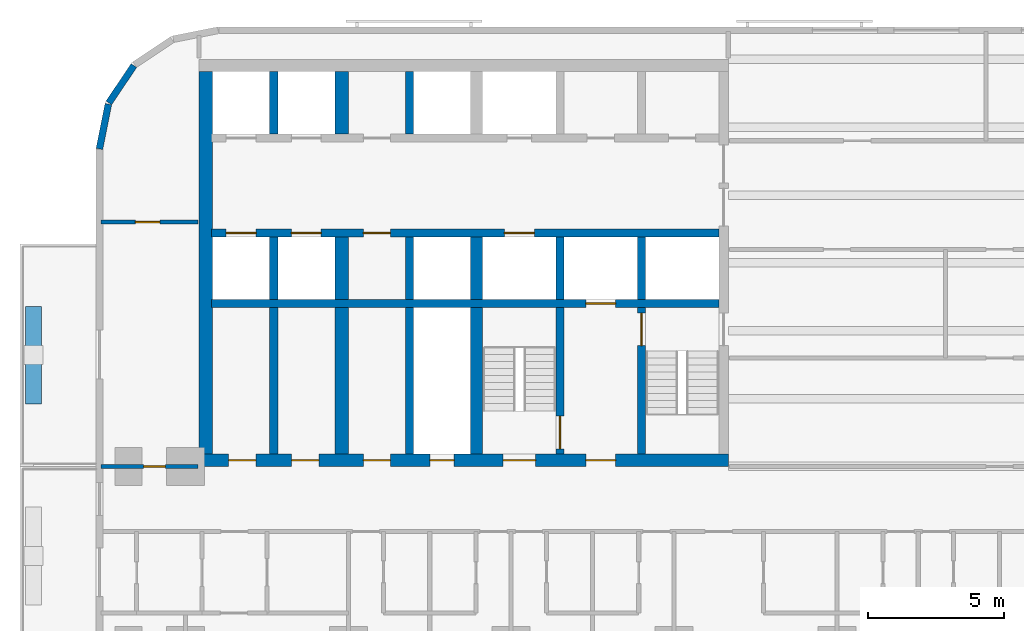
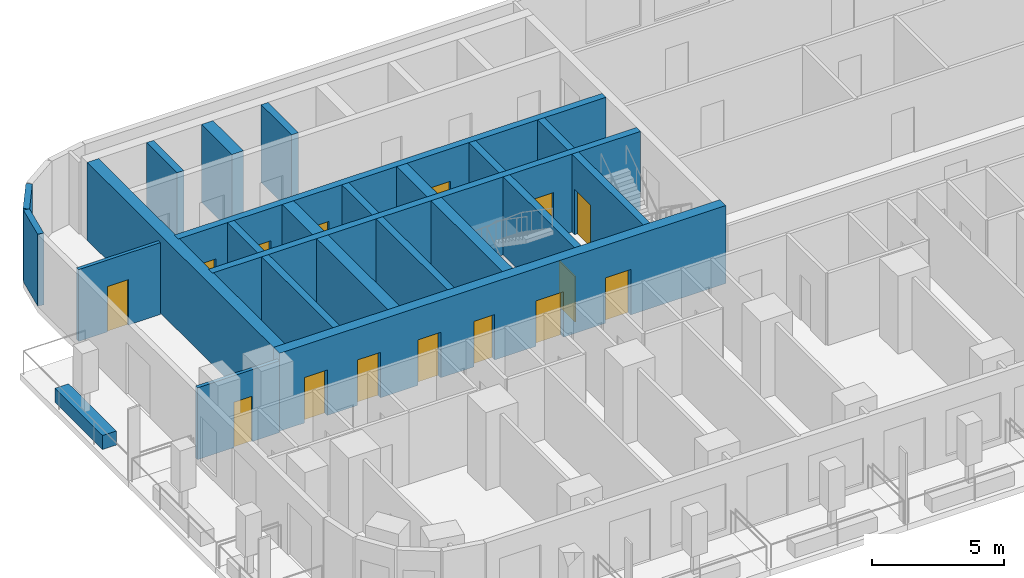
# One storey, part 3 of 15: 24 walls, 15 doors, 15 openings.
"""IFC4 building model written with IfcOpenShell, lengths in metres."""

from ifc_helpers import new_model, si_unit, direction, frame, frame_2d, origin, place, context, subcontext, project, spatial, rectangle, extrude, material, layer, layer_set, type_object, element, fill, save


model = new_model("IFC4")

# Units and contexts
model_context = context("Model", 3, precision=1e-05, world=origin(), true_north=direction((0.0, 1.0)))
body_context = subcontext(model_context, "Body", "Model", "MODEL_VIEW")
ifc_project = project(units=[si_unit("LENGTHUNIT", "METRE"), si_unit("AREAUNIT", "SQUARE_METRE"), si_unit("VOLUMEUNIT", "CUBIC_METRE"), si_unit("PLANEANGLEUNIT", "RADIAN"), si_unit("MASSUNIT", "GRAM", prefix="KILO")], contexts=[model_context])

# Site, building, storey
site_placement = place(None, origin())
site = spatial("IfcSite", under=ifc_project, at=site_placement, CompositionType="ELEMENT")
building_placement = place(site_placement, origin())
building = spatial("IfcBuilding", under=site, at=building_placement, Name="Torana Hotel and Residences", CompositionType="ELEMENT")
storey_placement = place(building_placement, frame((0.0, 0.0, 52.800048828125)))
storey = spatial("IfcBuildingStorey", under=building, at=storey_placement, Name="L12", CompositionType="ELEMENT", Elevation=52.800048828125)

# Wall, openings, doors
ifc_material_1 = material(Name="Concrete C80/95", Category="concrete")
ifc_layer_1 = layer(ifc_material_1, 0.300048828125)
ifc_layer_set_1 = layer_set([ifc_layer_1], Name="CORE WALL 300 C80/95")
wall_type_1 = type_object("IfcWallType", Name="CORE WALL 300 C80/95", PredefinedType="SHEAR", material=ifc_layer_set_1)
wall_1_placement = place(storey_placement, frame((-29.050048828125, -6.39990234375, 0.0), z_axis=(0.0, 0.0, 1.0), x_axis=(1.0, 0.0, 0.0)))
wall_1 = element("IfcWall", 1, at=wall_1_placement, inside=storey, type_object=wall_type_1, Name="Core wall W row-S", PredefinedType="SHEAR", context=body_context, shape_type="SweptSolid", body=[
    extrude(rectangle(XDim=18.699951171875, YDim=0.300048828125, at=frame_2d((9.35009765625, 0.0))), origin(), (0.0, 0.0, 1.0), 3.599853515625),
])
opening_1_placement = place(wall_1_placement, frame((2.949951171875, 0.0, 0.0)))
opening_1 = element("IfcOpeningElement", 2, at=opening_1_placement, cuts=wall_1, Name="Opening LD", PredefinedType="OPENING", context=body_context, shape_type="SweptSolid", body=[
    extrude(rectangle(XDim=1.10009765625, YDim=2.10009765625, at=frame_2d((0.550048828125, 1.050048828125))), frame((0.0, 0.159912109375, 0.0), z_axis=(0.0, -1.0, 0.0), x_axis=(1.0, 0.0, 0.0)), (0.0, 0.0, 1.0), 0.320068359375),
])
opening_2_placement = place(wall_1_placement, frame((0.550048828125, 0.0, 0.0)))
opening_2 = element("IfcOpeningElement", 3, at=opening_2_placement, cuts=wall_1, Name="Opening LD", PredefinedType="OPENING", context=body_context, shape_type="SweptSolid", body=[
    extrude(rectangle(XDim=1.10009765625, YDim=2.10009765625, at=frame_2d((0.550048828125, 1.050048828125))), frame((0.0, 0.159912109375, 0.0), z_axis=(0.0, -1.0, 0.0), x_axis=(1.0, 0.0, 0.0)), (0.0, 0.0, 1.0), 0.320068359375),
])
opening_3_placement = place(wall_1_placement, frame((10.800048828125, 0.0, 0.0)))
opening_3 = element("IfcOpeningElement", 4, at=opening_3_placement, cuts=wall_1, Name="Opening LD", PredefinedType="OPENING", context=body_context, shape_type="SweptSolid", body=[
    extrude(rectangle(XDim=1.10009765625, YDim=2.10009765625, at=frame_2d((0.550048828125, 1.050048828125))), frame((0.0, 0.159912109375, 0.0), z_axis=(0.0, -1.0, 0.0), x_axis=(1.0, 0.0, 0.0)), (0.0, 0.0, 1.0), 0.320068359375),
])
opening_4_placement = place(wall_1_placement, frame((5.60009765625, 0.0, 0.0)))
opening_4 = element("IfcOpeningElement", 5, at=opening_4_placement, cuts=wall_1, Name="Opening L12-14", PredefinedType="OPENING", context=body_context, shape_type="SweptSolid", body=[
    extrude(rectangle(XDim=1.0, YDim=2.10009765625, at=frame_2d((0.5, 1.050048828125))), frame((0.0, 0.159912109375, 0.0), z_axis=(0.0, -1.0, 0.0), x_axis=(1.0, 0.0, 0.0)), (0.0, 0.0, 1.0), 0.320068359375),
])
ifc_material_2 = material(Name="Steel S235", Category="steel")
door_type_1 = type_object("IfcDoorType", Name="CORE ROOM FIRE DOOR D14 1000x2100", OperationType="SINGLE_SWING_LEFT", PredefinedType="DOOR", material=ifc_material_2)
door_1_placement = place(opening_4_placement, frame((0.5, 0.0, 0.0), z_axis=(0.0, 0.0, 1.0), x_axis=(-1.0, 0.0, 0.0)))
door_1 = element("IfcDoor", 6, at=door_1_placement, inside=storey, type_object=door_type_1, Name="Free-M2 door L12", OperationType="SINGLE_SWING_LEFT", OverallHeight=2.10009765625, OverallWidth=1.0, PredefinedType="DOOR", context=body_context, shape_type="SweptSolid", body=[
    extrude(rectangle(XDim=1.0, YDim=2.10009765625, at=frame_2d((0.0, 1.050048828125))), frame((0.0, -0.02490234375, 0.0), z_axis=(0.0, 1.0, 0.0), x_axis=(-1.0, 0.0, 0.0)), (0.0, 0.0, 1.0), 0.050048828125),
])
fill(opening_4, door_1)
ifc_material_3 = material(Name="Stainless steel 316", Category="steel")
door_type_2 = type_object("IfcDoorType", Name="LIFT LANDING DOOR LD 1100x2100", OperationType="DOUBLE_DOOR_SLIDING", PredefinedType="USERDEFINED", material=ifc_material_3)
door_2_placement = place(opening_1_placement, origin())
door_2 = element("IfcDoor", 7, at=door_2_placement, inside=storey, type_object=door_type_2, Name="Lift landing door L3 L12", ObjectType="LIFT LANDING DOOR", OperationType="DOUBLE_DOOR_SLIDING", OverallHeight=2.10009765625, OverallWidth=1.10009765625, PredefinedType="USERDEFINED", context=body_context, shape_type="SweptSolid", body=[
    extrude(rectangle(XDim=1.10009765625, YDim=2.10009765625, at=frame_2d((0.550048828125, 1.050048828125))), frame((0.0, 0.02490234375, 0.0), z_axis=(0.0, -1.0, 0.0), x_axis=(1.0, 0.0, 0.0)), (0.0, 0.0, 1.0), 0.050048828125),
])
fill(opening_1, door_2)
door_3_placement = place(opening_2_placement, origin())
door_3 = element("IfcDoor", 8, at=door_3_placement, inside=storey, type_object=door_type_2, Name="Lift landing door L4 L12", ObjectType="LIFT LANDING DOOR", OperationType="DOUBLE_DOOR_SLIDING", OverallHeight=2.10009765625, OverallWidth=1.10009765625, PredefinedType="USERDEFINED", context=body_context, shape_type="SweptSolid", body=[
    extrude(rectangle(XDim=1.10009765625, YDim=2.10009765625, at=frame_2d((0.550048828125, 1.050048828125))), frame((0.0, 0.02490234375, 0.0), z_axis=(0.0, -1.0, 0.0), x_axis=(1.0, 0.0, 0.0)), (0.0, 0.0, 1.0), 0.050048828125),
])
fill(opening_2, door_3)
door_4_placement = place(opening_3_placement, origin())
door_4 = element("IfcDoor", 9, at=door_4_placement, inside=storey, type_object=door_type_2, Name="Lift landing door SV1 L12", ObjectType="LIFT LANDING DOOR", OperationType="DOUBLE_DOOR_SLIDING", OverallHeight=2.10009765625, OverallWidth=1.10009765625, PredefinedType="USERDEFINED", context=body_context, shape_type="SweptSolid", body=[
    extrude(rectangle(XDim=1.10009765625, YDim=2.10009765625, at=frame_2d((0.550048828125, 1.050048828125))), frame((0.0, 0.02490234375, 0.0), z_axis=(0.0, -1.0, 0.0), x_axis=(1.0, 0.0, 0.0)), (0.0, 0.0, 1.0), 0.050048828125),
])
fill(opening_3, door_4)

# Wall, opening, door
wall_2_placement = place(storey_placement, frame((-29.050048828125, -9.0, 0.0), z_axis=(0.0, 0.0, 1.0), x_axis=(1.0, 0.0, 0.0)))
wall_2 = element("IfcWall", 10, at=wall_2_placement, inside=storey, type_object=wall_type_1, Name="Core wall W band", PredefinedType="SHEAR", context=body_context, shape_type="SweptSolid", body=[
    extrude(rectangle(XDim=18.699951171875, YDim=0.300048828125, at=frame_2d((9.35009765625, 0.0))), origin(), (0.0, 0.0, 1.0), 3.599853515625),
])
opening_5_placement = place(wall_2_placement, frame((13.800048828125, 0.0, 0.0)))
opening_5 = element("IfcOpeningElement", 11, at=opening_5_placement, cuts=wall_2, Name="Opening LD", PredefinedType="OPENING", context=body_context, shape_type="SweptSolid", body=[
    extrude(rectangle(XDim=1.10009765625, YDim=2.10009765625, at=frame_2d((0.550048828125, 1.050048828125))), frame((0.0, 0.159912109375, 0.0), z_axis=(0.0, -1.0, 0.0), x_axis=(1.0, 0.0, 0.0)), (0.0, 0.0, 1.0), 0.320068359375),
])
door_5_placement = place(opening_5_placement, origin())
door_5 = element("IfcDoor", 12, at=door_5_placement, inside=storey, type_object=door_type_2, Name="Lift landing door FF1 L12", ObjectType="LIFT LANDING DOOR", OperationType="DOUBLE_DOOR_SLIDING", OverallHeight=2.10009765625, OverallWidth=1.10009765625, PredefinedType="USERDEFINED", context=body_context, shape_type="SweptSolid", body=[
    extrude(rectangle(XDim=1.10009765625, YDim=2.10009765625, at=frame_2d((0.550048828125, 1.050048828125))), frame((0.0, 0.02490234375, 0.0), z_axis=(0.0, -1.0, 0.0), x_axis=(1.0, 0.0, 0.0)), (0.0, 0.0, 1.0), 0.050048828125),
])
fill(opening_5, door_5)

# Wall
wall_3_placement = place(storey_placement, frame((-13.199951171875, -8.85009765625, 0.0), z_axis=(0.0, 0.0, 1.0), x_axis=(0.0, 1.0, 0.0)))
element("IfcWall", 13, at=wall_3_placement, inside=storey, type_object=wall_type_1, Name="Core wall W x3.05-S", PredefinedType="SHEAR", context=body_context, shape_type="SweptSolid", body=[
    extrude(rectangle(XDim=2.300048828125, YDim=0.300048828125, at=frame_2d((1.14990234375, 0.0))), origin(), (0.0, 0.0, 1.0), 3.599853515625),
])

# Wall, opening, door
wall_4_placement = place(storey_placement, frame((-13.199951171875, -14.550048828125, 0.0), z_axis=(0.0, 0.0, 1.0), x_axis=(0.0, 1.0, 0.0)))
wall_4 = element("IfcWall", 14, at=wall_4_placement, inside=storey, type_object=wall_type_1, Name="Core wall W x3.05-band", PredefinedType="SHEAR", context=body_context, shape_type="SweptSolid", body=[
    extrude(rectangle(XDim=5.400146484375, YDim=0.300048828125, at=frame_2d((2.7001953125, 0.0))), origin(), (0.0, 0.0, 1.0), 3.599853515625),
])
opening_6_placement = place(wall_4_placement, frame((4.0, 0.0, 0.0)))
opening_6 = element("IfcOpeningElement", 15, at=opening_6_placement, cuts=wall_4, Name="Opening L12-15", PredefinedType="OPENING", context=body_context, shape_type="SweptSolid", body=[
    extrude(rectangle(XDim=1.199951171875, YDim=2.10009765625, at=frame_2d((0.60009765625, 1.050048828125))), frame((0.0, 0.159912109375, 0.0), z_axis=(0.0, -1.0, 0.0), x_axis=(1.0, 0.0, 0.0)), (0.0, 0.0, 1.0), 0.320068359375),
])
ifc_material_4 = material(Name="Steel S235", Category="steel")
door_type_3 = type_object("IfcDoorType", Name="STAIR FIRE DOOR D3 1200x2100", OperationType="SINGLE_SWING_LEFT", PredefinedType="DOOR", material=ifc_material_4)
door_6_placement = place(opening_6_placement, frame((0.60009765625, 0.0, 0.0), z_axis=(0.0, 0.0, 1.0), x_axis=(-1.0, 0.0, 0.0)))
door_6 = element("IfcDoor", 16, at=door_6_placement, inside=storey, type_object=door_type_3, Name="Stair-A-lobby door L12", OperationType="SINGLE_SWING_RIGHT", OverallHeight=2.10009765625, OverallWidth=1.199951171875, PredefinedType="DOOR", context=body_context, shape_type="SweptSolid", body=[
    extrude(rectangle(XDim=1.199951171875, YDim=2.10009765625, at=frame_2d((0.0, 1.050048828125))), frame((0.0, -0.02490234375, 0.0), z_axis=(0.0, 1.0, 0.0), x_axis=(-1.0, 0.0, 0.0)), (0.0, 0.0, 1.0), 0.050048828125),
])
fill(opening_6, door_6)

# Wall
wall_5_placement = place(storey_placement, frame((-16.199951171875, -8.85009765625, 0.0), z_axis=(0.0, 0.0, 1.0), x_axis=(0.0, 1.0, 0.0)))
element("IfcWall", 17, at=wall_5_placement, inside=storey, type_object=wall_type_1, Name="Core wall W x6.05-S", PredefinedType="SHEAR", context=body_context, shape_type="SweptSolid", body=[
    extrude(rectangle(XDim=2.300048828125, YDim=0.300048828125, at=frame_2d((1.14990234375, 0.0))), origin(), (0.0, 0.0, 1.0), 3.599853515625),
])

# Wall, opening, door
wall_6_placement = place(storey_placement, frame((-16.199951171875, -14.550048828125, 0.0), z_axis=(0.0, 0.0, 1.0), x_axis=(0.0, 1.0, 0.0)))
wall_6 = element("IfcWall", 18, at=wall_6_placement, inside=storey, type_object=wall_type_1, Name="Core wall W x6.05-band", PredefinedType="SHEAR", context=body_context, shape_type="SweptSolid", body=[
    extrude(rectangle(XDim=5.400146484375, YDim=0.300048828125, at=frame_2d((2.7001953125, 0.0))), origin(), (0.0, 0.0, 1.0), 3.599853515625),
])
opening_7_placement = place(wall_6_placement, frame((0.199951171875, 0.0, 0.0)))
opening_7 = element("IfcOpeningElement", 19, at=opening_7_placement, cuts=wall_6, Name="Opening L12-16", PredefinedType="OPENING", context=body_context, shape_type="SweptSolid", body=[
    extrude(rectangle(XDim=1.199951171875, YDim=2.10009765625, at=frame_2d((0.60009765625, 1.050048828125))), frame((0.0, 0.159912109375, 0.0), z_axis=(0.0, -1.0, 0.0), x_axis=(1.0, 0.0, 0.0)), (0.0, 0.0, 1.0), 0.320068359375),
])
door_7_placement = place(opening_7_placement, origin())
door_7 = element("IfcDoor", 20, at=door_7_placement, inside=storey, type_object=door_type_3, Name="Stair-B-lobby door L12", OperationType="SINGLE_SWING_RIGHT", OverallHeight=2.10009765625, OverallWidth=1.199951171875, PredefinedType="DOOR", context=body_context, shape_type="SweptSolid", body=[
    extrude(rectangle(XDim=1.199951171875, YDim=2.10009765625, at=frame_2d((0.60009765625, 1.050048828125))), frame((0.0, 0.02490234375, 0.0), z_axis=(0.0, -1.0, 0.0), x_axis=(1.0, 0.0, 0.0)), (0.0, 0.0, 1.0), 0.050048828125),
])
fill(opening_7, door_7)

# Walls
for number, where, z_axis, x_axis, name in (
    (21, (-21.75, -2.75, 0.0), (0.0, 0.0, 1.0), (0.0, 1.0, 0.0), "Core wall W mm-N"),
    (22, (-21.75, -8.85009765625, 0.0), (0.0, 0.0, 1.0), (0.0, 1.0, 0.0), "Core wall W mm-S"),
):
    element("IfcWall", number, at=place(storey_placement, frame(where, z_axis=z_axis, x_axis=x_axis)), inside=storey, type_object=wall_type_1, Name=name, PredefinedType="SHEAR", context=body_context, shape_type="SweptSolid", body=[
        extrude(rectangle(XDim=2.300048828125, YDim=0.300048828125, at=frame_2d((1.14990234375, 0.0))), origin(), (0.0, 0.0, 1.0), 3.599853515625),
    ])
wall_7_placement = place(storey_placement, frame((-21.75, -14.550048828125, 0.0), z_axis=(0.0, 0.0, 1.0), x_axis=(0.0, 1.0, 0.0)))
element("IfcWall", 23, at=wall_7_placement, inside=storey, type_object=wall_type_1, Name="Core wall W mm-band", PredefinedType="SHEAR", context=body_context, shape_type="SweptSolid", body=[
    extrude(rectangle(XDim=5.400146484375, YDim=0.300048828125, at=frame_2d((2.7001953125, 0.0))), origin(), (0.0, 0.0, 1.0), 3.599853515625),
])
for number, where, z_axis, x_axis, name in (
    (24, (-26.75, -2.75, 0.0), (0.0, 0.0, 1.0), (0.0, 1.0, 0.0), "Core wall W ll-N"),
    (25, (-26.75, -8.85009765625, 0.0), (0.0, 0.0, 1.0), (0.0, 1.0, 0.0), "Core wall W ll-S"),
):
    element("IfcWall", number, at=place(storey_placement, frame(where, z_axis=z_axis, x_axis=x_axis)), inside=storey, type_object=wall_type_1, Name=name, PredefinedType="SHEAR", context=body_context, shape_type="SweptSolid", body=[
        extrude(rectangle(XDim=2.300048828125, YDim=0.300048828125, at=frame_2d((1.14990234375, 0.0))), origin(), (0.0, 0.0, 1.0), 3.599853515625),
    ])
wall_8_placement = place(storey_placement, frame((-26.75, -14.550048828125, 0.0), z_axis=(0.0, 0.0, 1.0), x_axis=(0.0, 1.0, 0.0)))
element("IfcWall", 26, at=wall_8_placement, inside=storey, type_object=wall_type_1, Name="Core wall W ll-band", PredefinedType="SHEAR", context=body_context, shape_type="SweptSolid", body=[
    extrude(rectangle(XDim=5.400146484375, YDim=0.300048828125, at=frame_2d((2.7001953125, 0.0))), origin(), (0.0, 0.0, 1.0), 3.599853515625),
])

# Wall, openings, doors
ifc_material_5 = material(Name="Concrete C80/95", Category="concrete")
ifc_layer_2 = layer(ifc_material_5, 0.449951171875)
ifc_layer_set_2 = layer_set([ifc_layer_2], Name="CORE WALL 450 C80/95")
wall_type_2 = type_object("IfcWallType", Name="CORE WALL 450 C80/95", PredefinedType="SHEAR", material=ifc_layer_set_2)
wall_9_placement = place(storey_placement, frame((-29.5, -14.77490234375, 0.0), z_axis=(0.0, 0.0, 1.0), x_axis=(1.0, 0.0, 0.0)))
wall_9 = element("IfcWall", 27, at=wall_9_placement, inside=storey, type_object=wall_type_2, Name="Core wall W front", PredefinedType="SHEAR", context=body_context, shape_type="SweptSolid", body=[
    extrude(rectangle(XDim=19.5, YDim=0.449951171875, at=frame_2d((9.75, 0.0))), origin(), (0.0, 0.0, 1.0), 3.599853515625),
])
opening_8_placement = place(wall_9_placement, frame((11.199951171875, 0.0, 0.0)))
opening_8 = element("IfcOpeningElement", 28, at=opening_8_placement, cuts=wall_9, Name="Opening L12-04", PredefinedType="OPENING", context=body_context, shape_type="SweptSolid", body=[
    extrude(rectangle(XDim=1.199951171875, YDim=2.10009765625, at=frame_2d((0.60009765625, 1.050048828125))), frame((0.0, 0.23486328125, 0.0), z_axis=(0.0, -1.0, 0.0), x_axis=(1.0, 0.0, 0.0)), (0.0, 0.0, 1.0), 0.469970703125),
])
opening_9_placement = place(wall_9_placement, frame((14.25, 0.0, 0.0)))
opening_9 = element("IfcOpeningElement", 29, at=opening_9_placement, cuts=wall_9, Name="Opening L12-05", PredefinedType="OPENING", context=body_context, shape_type="SweptSolid", body=[
    extrude(rectangle(XDim=1.10009765625, YDim=2.10009765625, at=frame_2d((0.550048828125, 1.050048828125))), frame((0.0, 0.23486328125, 0.0), z_axis=(0.0, -1.0, 0.0), x_axis=(1.0, 0.0, 0.0)), (0.0, 0.0, 1.0), 0.469970703125),
])
opening_10_placement = place(wall_9_placement, frame((8.5, 0.0, 0.0)))
opening_10 = element("IfcOpeningElement", 30, at=opening_10_placement, cuts=wall_9, Name="Opening L12-06", PredefinedType="OPENING", context=body_context, shape_type="SweptSolid", body=[
    extrude(rectangle(XDim=0.89990234375, YDim=2.10009765625, at=frame_2d((0.449951171875, 1.050048828125))), frame((0.0, 0.23486328125, 0.0), z_axis=(0.0, -1.0, 0.0), x_axis=(1.0, 0.0, 0.0)), (0.0, 0.0, 1.0), 0.469970703125),
])
opening_11_placement = place(wall_9_placement, frame((6.050048828125, 0.0, 0.0)))
opening_11 = element("IfcOpeningElement", 31, at=opening_11_placement, cuts=wall_9, Name="Opening L12-07", PredefinedType="OPENING", context=body_context, shape_type="SweptSolid", body=[
    extrude(rectangle(XDim=1.0, YDim=2.10009765625, at=frame_2d((0.5, 1.050048828125))), frame((0.0, 0.23486328125, 0.0), z_axis=(0.0, -1.0, 0.0), x_axis=(1.0, 0.0, 0.0)), (0.0, 0.0, 1.0), 0.469970703125),
])
opening_12_placement = place(wall_9_placement, frame((3.41259765625, 0.0, 0.0)))
opening_12 = element("IfcOpeningElement", 32, at=opening_12_placement, cuts=wall_9, Name="Opening L12-08", PredefinedType="OPENING", context=body_context, shape_type="SweptSolid", body=[
    extrude(rectangle(XDim=1.0, YDim=2.10009765625, at=frame_2d((0.5, 1.050048828125))), frame((0.0, 0.23486328125, 0.0), z_axis=(0.0, -1.0, 0.0), x_axis=(1.0, 0.0, 0.0)), (0.0, 0.0, 1.0), 0.469970703125),
])
opening_13_placement = place(wall_9_placement, frame((1.08740234375, 0.0, 0.0)))
opening_13 = element("IfcOpeningElement", 33, at=opening_13_placement, cuts=wall_9, Name="Opening L12-09", PredefinedType="OPENING", context=body_context, shape_type="SweptSolid", body=[
    extrude(rectangle(XDim=1.0, YDim=2.10009765625, at=frame_2d((0.5, 1.050048828125))), frame((0.0, 0.23486328125, 0.0), z_axis=(0.0, -1.0, 0.0), x_axis=(1.0, 0.0, 0.0)), (0.0, 0.0, 1.0), 0.469970703125),
])
door_8_placement = place(opening_11_placement, origin())
door_8 = element("IfcDoor", 34, at=door_8_placement, inside=storey, type_object=door_type_1, Name="M-Room door L12", OperationType="SINGLE_SWING_RIGHT", OverallHeight=2.10009765625, OverallWidth=1.0, PredefinedType="DOOR", context=body_context, shape_type="SweptSolid", body=[
    extrude(rectangle(XDim=1.0, YDim=2.10009765625, at=frame_2d((0.5, 1.050048828125))), frame((0.0, 0.02490234375, 0.0), z_axis=(0.0, -1.0, 0.0), x_axis=(1.0, 0.0, 0.0)), (0.0, 0.0, 1.0), 0.050048828125),
])
fill(opening_11, door_8)
door_9_placement = place(opening_12_placement, origin())
door_9 = element("IfcDoor", 35, at=door_9_placement, inside=storey, type_object=door_type_1, Name="L-A door L12", OperationType="SINGLE_SWING_RIGHT", OverallHeight=2.10009765625, OverallWidth=1.0, PredefinedType="DOOR", context=body_context, shape_type="SweptSolid", body=[
    extrude(rectangle(XDim=1.0, YDim=2.10009765625, at=frame_2d((0.5, 1.050048828125))), frame((0.0, 0.02490234375, 0.0), z_axis=(0.0, -1.0, 0.0), x_axis=(1.0, 0.0, 0.0)), (0.0, 0.0, 1.0), 0.050048828125),
])
fill(opening_12, door_9)
door_10_placement = place(opening_13_placement, origin())
door_10 = element("IfcDoor", 36, at=door_10_placement, inside=storey, type_object=door_type_1, Name="L-B door L12", OperationType="SINGLE_SWING_RIGHT", OverallHeight=2.10009765625, OverallWidth=1.0, PredefinedType="DOOR", context=body_context, shape_type="SweptSolid", body=[
    extrude(rectangle(XDim=1.0, YDim=2.10009765625, at=frame_2d((0.5, 1.050048828125))), frame((0.0, 0.02490234375, 0.0), z_axis=(0.0, -1.0, 0.0), x_axis=(1.0, 0.0, 0.0)), (0.0, 0.0, 1.0), 0.050048828125),
])
fill(opening_13, door_10)
ifc_material_6 = material(Name="Steel S235", Category="steel")
door_type_4 = type_object("IfcDoorType", Name="FIRE-FIGHTING LOBBY DOOR D8 1100x2100", OperationType="SINGLE_SWING_LEFT", PredefinedType="DOOR", material=ifc_material_6)
door_11_placement = place(opening_9_placement, origin())
door_11 = element("IfcDoor", 37, at=door_11_placement, inside=storey, type_object=door_type_4, Name="FF-lobby door L12", OperationType="SINGLE_SWING_RIGHT", OverallHeight=2.10009765625, OverallWidth=1.10009765625, PredefinedType="DOOR", context=body_context, shape_type="SweptSolid", body=[
    extrude(rectangle(XDim=1.10009765625, YDim=2.10009765625, at=frame_2d((0.550048828125, 1.050048828125))), frame((0.0, 0.02490234375, 0.0), z_axis=(0.0, -1.0, 0.0), x_axis=(1.0, 0.0, 0.0)), (0.0, 0.0, 1.0), 0.050048828125),
])
fill(opening_9, door_11)
ifc_material_7 = material(Name="Steel S235", Category="steel")
door_type_5 = type_object("IfcDoorType", Name="RISER ACCESS DOOR D5 900x2100", OperationType="SINGLE_SWING_LEFT", PredefinedType="DOOR", material=ifc_material_7)
door_12_placement = place(opening_10_placement, origin())
door_12 = element("IfcDoor", 38, at=door_12_placement, inside=storey, type_object=door_type_5, Name="M-Riser door L12", OperationType="SINGLE_SWING_RIGHT", OverallHeight=2.10009765625, OverallWidth=0.89990234375, PredefinedType="DOOR", context=body_context, shape_type="SweptSolid", body=[
    extrude(rectangle(XDim=0.89990234375, YDim=2.10009765625, at=frame_2d((0.449951171875, 1.050048828125))), frame((0.0, 0.02490234375, 0.0), z_axis=(0.0, -1.0, 0.0), x_axis=(1.0, 0.0, 0.0)), (0.0, 0.0, 1.0), 0.050048828125),
])
fill(opening_10, door_12)
door_13_placement = place(opening_8_placement, origin())
door_13 = element("IfcDoor", 39, at=door_13_placement, inside=storey, type_object=door_type_3, Name="Stair-B door L12", OperationType="SINGLE_SWING_RIGHT", OverallHeight=2.10009765625, OverallWidth=1.199951171875, PredefinedType="DOOR", context=body_context, shape_type="SweptSolid", body=[
    extrude(rectangle(XDim=1.199951171875, YDim=2.10009765625, at=frame_2d((0.60009765625, 1.050048828125))), frame((0.0, 0.02490234375, 0.0), z_axis=(0.0, -1.0, 0.0), x_axis=(1.0, 0.0, 0.0)), (0.0, 0.0, 1.0), 0.050048828125),
])
fill(opening_8, door_13)

# Walls
wall_10_placement = place(storey_placement, frame((-19.27490234375, -8.85009765625, 0.0), z_axis=(0.0, 0.0, 1.0), x_axis=(0.0, 1.0, 0.0)))
element("IfcWall", 40, at=wall_10_placement, inside=storey, type_object=wall_type_2, Name="Core wall W hm-S", PredefinedType="SHEAR", context=body_context, shape_type="SweptSolid", body=[
    extrude(rectangle(XDim=2.300048828125, YDim=0.449951171875, at=frame_2d((1.14990234375, 0.0))), origin(), (0.0, 0.0, 1.0), 3.599853515625),
])
wall_11_placement = place(storey_placement, frame((-19.27490234375, -14.550048828125, 0.0), z_axis=(0.0, 0.0, 1.0), x_axis=(0.0, 1.0, 0.0)))
element("IfcWall", 41, at=wall_11_placement, inside=storey, type_object=wall_type_2, Name="Core wall W hm-band", PredefinedType="SHEAR", context=body_context, shape_type="SweptSolid", body=[
    extrude(rectangle(XDim=5.400146484375, YDim=0.449951171875, at=frame_2d((2.7001953125, 0.0))), origin(), (0.0, 0.0, 1.0), 3.599853515625),
])
ifc_material_8 = material(Name="Concrete C80/95", Category="concrete")
ifc_layer_3 = layer(ifc_material_8, 0.5)
ifc_layer_set_3 = layer_set([ifc_layer_3], Name="CORE WALL 500 C80/95")
wall_type_3 = type_object("IfcWallType", Name="CORE WALL 500 C80/95", PredefinedType="SHEAR", material=ifc_layer_set_3)
wall_12_placement = place(storey_placement, frame((-29.25, -14.550048828125, 0.0), z_axis=(0.0, 0.0, 1.0), x_axis=(0.0, 1.0, 0.0)))
element("IfcWall", 42, at=wall_12_placement, inside=storey, type_object=wall_type_3, Name="Core wall W outer", PredefinedType="SHEAR", context=body_context, shape_type="SweptSolid", body=[
    extrude(rectangle(XDim=14.10009765625, YDim=0.5, at=frame_2d((7.050048828125, 0.0))), origin(), (0.0, 0.0, 1.0), 3.599853515625),
])
for number, where, z_axis, x_axis, name in (
    (43, (-24.25, -2.75, 0.0), (0.0, 0.0, 1.0), (0.0, 1.0, 0.0), "Core wall W ml-N"),
    (44, (-24.25, -8.85009765625, 0.0), (0.0, 0.0, 1.0), (0.0, 1.0, 0.0), "Core wall W ml-S"),
):
    element("IfcWall", number, at=place(storey_placement, frame(where, z_axis=z_axis, x_axis=x_axis)), inside=storey, type_object=wall_type_3, Name=name, PredefinedType="SHEAR", context=body_context, shape_type="SweptSolid", body=[
        extrude(rectangle(XDim=2.300048828125, YDim=0.5, at=frame_2d((1.14990234375, 0.0))), origin(), (0.0, 0.0, 1.0), 3.599853515625),
    ])
wall_13_placement = place(storey_placement, frame((-24.25, -14.550048828125, 0.0), z_axis=(0.0, 0.0, 1.0), x_axis=(0.0, 1.0, 0.0)))
element("IfcWall", 45, at=wall_13_placement, inside=storey, type_object=wall_type_3, Name="Core wall W ml-band", PredefinedType="SHEAR", context=body_context, shape_type="SweptSolid", body=[
    extrude(rectangle(XDim=5.400146484375, YDim=0.5, at=frame_2d((2.7001953125, 0.0))), origin(), (0.0, 0.0, 1.0), 3.599853515625),
])
ifc_material_9 = material(Name="Black aluminium composite panel", Category="aluminium")
ifc_layer_4 = layer(ifc_material_9, 0.00390625, Name="Cladding", Category="cladding")
ifc_material_10 = material(Name="Ventilated air cavity")
ifc_layer_5 = layer(ifc_material_10, 0.0400390625, Name="Ventilated cavity", Category="cavity")
ifc_material_11 = material(Name="Mineral wool insulation")
ifc_layer_6 = layer(ifc_material_11, 0.090087890625, Name="Insulation", Category="insulation")
ifc_material_12 = material(Name="Steel S280GD", Category="steel")
ifc_layer_7 = layer(ifc_material_12, 0.092041015625, Name="Steel stud frame", Category="structure")
ifc_material_13 = material(Name="Fire rated plasterboard")
ifc_layer_8 = layer(ifc_material_13, 0.011962890625, Name="Inner board", Category="finish")
ifc_layer_9 = layer(ifc_material_13, 0.011962890625, Name="Second board", Category="finish")
ifc_layer_set_4 = layer_set([ifc_layer_4, ifc_layer_5, ifc_layer_6, ifc_layer_7, ifc_layer_8, ifc_layer_9], Name="EW1 EXTERNAL WALL BLACK METAL CLAD 250")
wall_type_4 = type_object("IfcWallType", Name="EW1 EXTERNAL WALL BLACK METAL CLAD 250", PredefinedType="SOLIDWALL", material=ifc_layer_set_4)
wall_14_placement = place(storey_placement, frame((-31.90576171875, -0.228759765625, 0.0), z_axis=(0.0, 0.0, 1.0), x_axis=(-0.55555029066, -0.831482937015, 0.0)))
element("IfcWall", 46, at=wall_14_placement, inside=storey, type_object=wall_type_4, Name="External wall L12 e0.7", PredefinedType="SOLIDWALL", context=body_context, shape_type="SweptSolid", body=[
    extrude(rectangle(XDim=1.65625, YDim=0.25, at=frame_2d((0.828125, 0.0))), origin(), (0.0, 0.0, 1.0), 3.320068359375),
])
wall_15_placement = place(storey_placement, frame((-32.844482421875, -1.651123046875, 0.0), z_axis=(0.0, 0.0, 1.0), x_axis=(-0.19513878023, -0.980775640221, 0.0)))
element("IfcWall", 47, at=wall_15_placement, inside=storey, type_object=wall_type_4, Name="External wall L12 e0.8", PredefinedType="SOLIDWALL", context=body_context, shape_type="SweptSolid", body=[
    extrude(rectangle(XDim=1.681396484375, YDim=0.25, at=frame_2d((0.8408203125, 0.0))), origin(), (0.0, 0.0, 1.0), 3.320068359375),
])

# Wall, opening, door
ifc_material_14 = material(Name="Gypsum plaster")
ifc_layer_10 = layer(ifc_material_14, 0.014892578125, Name="Plaster", Category="finish")
ifc_material_15 = material(Name="Concrete blockwork", Category="masonry")
ifc_layer_11 = layer(ifc_material_15, 0.1201171875, Name="Blockwork", Category="structure")
ifc_layer_12 = layer(ifc_material_14, 0.014892578125, Name="Plaster", Category="finish")
ifc_layer_set_5 = layer_set([ifc_layer_10, ifc_layer_11, ifc_layer_12], Name="FIRE PARTITION 150 BLOCKWORK")
wall_type_5 = type_object("IfcWallType", Name="FIRE PARTITION 150 BLOCKWORK", PredefinedType="PARTITIONING", material=ifc_layer_set_5)
wall_16_placement = place(storey_placement, frame((-33.1201171875, -15.0, 0.0), z_axis=(0.0, 0.0, 1.0), x_axis=(1.0, 0.0, 0.0)))
wall_16 = element("IfcWall", 48, at=wall_16_placement, inside=storey, type_object=wall_type_5, Name="Partition L12", PredefinedType="PARTITIONING", context=body_context, shape_type="SweptSolid", body=[
    extrude(rectangle(XDim=3.570068359375, YDim=0.14990234375, at=frame_2d((1.78515625, 0.0))), origin(), (0.0, 0.0, 1.0), 3.320068359375),
])
opening_14_placement = place(wall_16_placement, frame((1.580078125, 0.0, 0.0)))
opening_14 = element("IfcOpeningElement", 49, at=opening_14_placement, cuts=wall_16, Name="Opening L12-47", PredefinedType="OPENING", context=body_context, shape_type="SweptSolid", body=[
    extrude(rectangle(XDim=0.800048828125, YDim=2.10009765625, at=frame_2d((0.39990234375, 1.050048828125))), frame((0.0, 0.0849609375, 0.0), z_axis=(0.0, -1.0, 0.0), x_axis=(1.0, 0.0, 0.0)), (0.0, 0.0, 1.0), 0.169921875),
])
ifc_material_16 = material(Name="Steel S235", Category="steel")
door_type_6 = type_object("IfcDoorType", Name="STORE FIRE DOOR D16 800x2100", OperationType="SINGLE_SWING_LEFT", PredefinedType="DOOR", material=ifc_material_16)
door_14_placement = place(opening_14_placement, origin())
door_14 = element("IfcDoor", 50, at=door_14_placement, inside=storey, type_object=door_type_6, Name="Door L12", OperationType="SINGLE_SWING_RIGHT", OverallHeight=2.10009765625, OverallWidth=0.800048828125, PredefinedType="DOOR", context=body_context, shape_type="SweptSolid", body=[
    extrude(rectangle(XDim=0.800048828125, YDim=2.10009765625, at=frame_2d((0.39990234375, 1.050048828125))), frame((0.0, 0.02490234375, 0.0), z_axis=(0.0, -1.0, 0.0), x_axis=(1.0, 0.0, 0.0)), (0.0, 0.0, 1.0), 0.050048828125),
])
fill(opening_14, door_14)

# Wall
ifc_material_17 = material(Name="Concrete C40/50 precast", Category="concrete")
ifc_layer_13 = layer(ifc_material_17, 0.10009765625, Name="Planter shell", Category="structure")
ifc_material_18 = material(Name="Root resistant membrane")
ifc_layer_14 = layer(ifc_material_18, 0.00390625, Name="Waterproofing membrane", Category="membrane")
ifc_material_19 = material(Name="Drainage board with filter fleece")
ifc_layer_15 = layer(ifc_material_19, 0.02001953125, Name="Drainage board", Category="drainage")
ifc_material_20 = material(Name="Growing medium")
ifc_layer_16 = layer(ifc_material_20, 0.47607421875, Name="Planting substrate", Category="soil")
ifc_layer_set_6 = layer_set([ifc_layer_13, ifc_layer_14, ifc_layer_15, ifc_layer_16], Name="PL1 BALCONY PLANTER 600")
wall_type_6 = type_object("IfcWallType", Name="PL1 BALCONY PLANTER 600", PredefinedType="USERDEFINED", material=ifc_layer_set_6)
wall_17_placement = place(storey_placement, frame((-35.60009765625, -12.699951171875, 0.0), z_axis=(0.0, 0.0, 1.0), x_axis=(0.0, 1.0, 0.0)))
element("IfcWall", 51, at=wall_17_placement, inside=storey, type_object=wall_type_6, Name="Planter 13", ObjectType="PLANTER", PredefinedType="USERDEFINED", context=body_context, shape_type="SweptSolid", body=[
    extrude(rectangle(XDim=3.599853515625, YDim=0.60009765625, at=frame_2d((1.7998046875, 0.0))), origin(), (0.0, 0.0, 1.0), 0.64990234375),
])

# Wall, opening, door
ifc_material_21 = material(Name="Ceramic tile on adhesive")
ifc_layer_17 = layer(ifc_material_21, 0.010009765625, Name="Wall tile", Category="finish")
ifc_material_22 = material(Name="Cement render")
ifc_layer_18 = layer(ifc_material_22, 0.010009765625, Name="Render", Category="finish")
ifc_layer_19 = layer(ifc_material_15, 0.110107421875, Name="Blockwork", Category="structure")
ifc_layer_20 = layer(ifc_material_22, 0.010009765625, Name="Render", Category="finish")
ifc_layer_21 = layer(ifc_material_21, 0.010009765625, Name="Wall tile", Category="finish")
ifc_layer_set_7 = layer_set([ifc_layer_17, ifc_layer_18, ifc_layer_19, ifc_layer_20, ifc_layer_21], Name="WC PARTITION 150")
wall_type_7 = type_object("IfcWallType", Name="WC PARTITION 150", PredefinedType="PLUMBINGWALL", material=ifc_layer_set_7)
wall_18_placement = place(storey_placement, frame((-33.1201171875, -6.0, 0.0), z_axis=(0.0, 0.0, 1.0), x_axis=(1.0, 0.0, 0.0)))
wall_18 = element("IfcWall", 52, at=wall_18_placement, inside=storey, type_object=wall_type_7, Name="Partition L12", PredefinedType="PLUMBINGWALL", context=body_context, shape_type="SweptSolid", body=[
    extrude(rectangle(XDim=3.570068359375, YDim=0.14990234375, at=frame_2d((1.78515625, 0.0))), origin(), (0.0, 0.0, 1.0), 3.320068359375),
])
opening_15_placement = place(wall_18_placement, frame((1.27001953125, 0.0, 0.0)))
opening_15 = element("IfcOpeningElement", 53, at=opening_15_placement, cuts=wall_18, Name="Opening L12-83", PredefinedType="OPENING", context=body_context, shape_type="SweptSolid", body=[
    extrude(rectangle(XDim=0.89990234375, YDim=2.10009765625, at=frame_2d((0.449951171875, 1.050048828125))), frame((0.0, 0.0849609375, 0.0), z_axis=(0.0, -1.0, 0.0), x_axis=(1.0, 0.0, 0.0)), (0.0, 0.0, 1.0), 0.169921875),
])
ifc_material_23 = material(Name="Timber door, oiled ash", Category="wood")
door_type_7 = type_object("IfcDoorType", Name="ROOM DOOR D7 900x2100", OperationType="SINGLE_SWING_LEFT", PredefinedType="DOOR", material=ifc_material_23)
door_15_placement = place(opening_15_placement, origin())
door_15 = element("IfcDoor", 54, at=door_15_placement, inside=storey, type_object=door_type_7, Name="Door L12", OperationType="SINGLE_SWING_RIGHT", OverallHeight=2.10009765625, OverallWidth=0.89990234375, PredefinedType="DOOR", context=body_context, shape_type="SweptSolid", body=[
    extrude(rectangle(XDim=0.89990234375, YDim=2.10009765625, at=frame_2d((0.449951171875, 1.050048828125))), frame((0.0, 0.02490234375, 0.0), z_axis=(0.0, -1.0, 0.0), x_axis=(1.0, 0.0, 0.0)), (0.0, 0.0, 1.0), 0.050048828125),
])
fill(opening_15, door_15)

save(model, "model.ifc")
